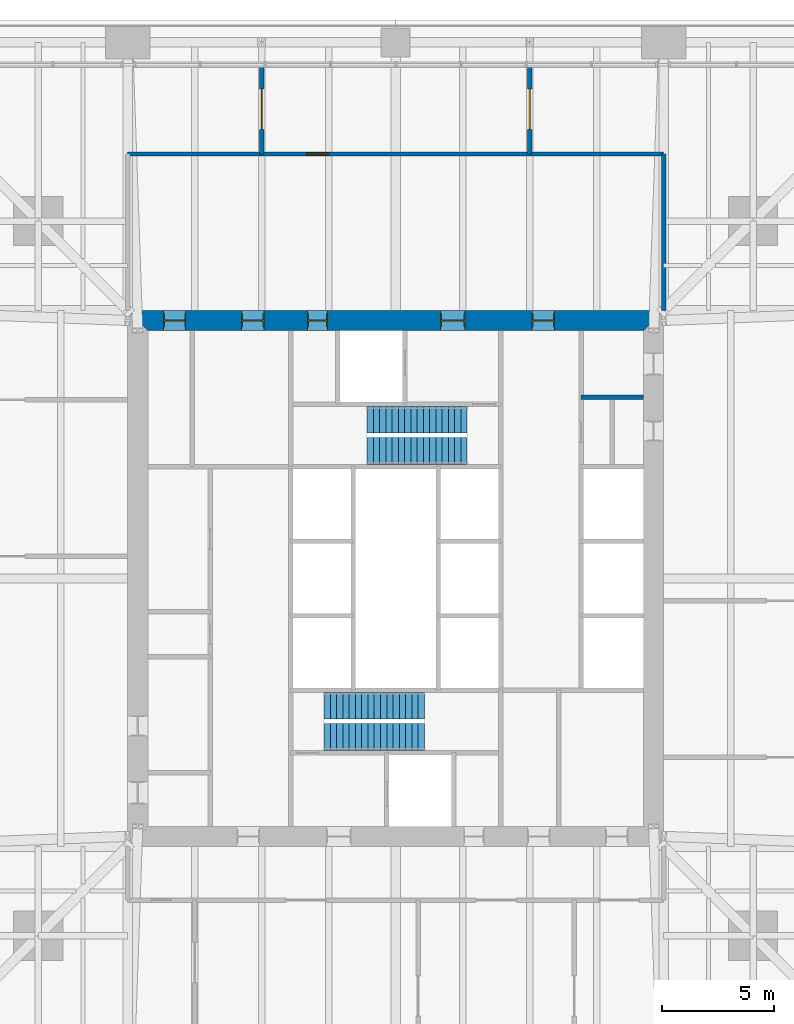
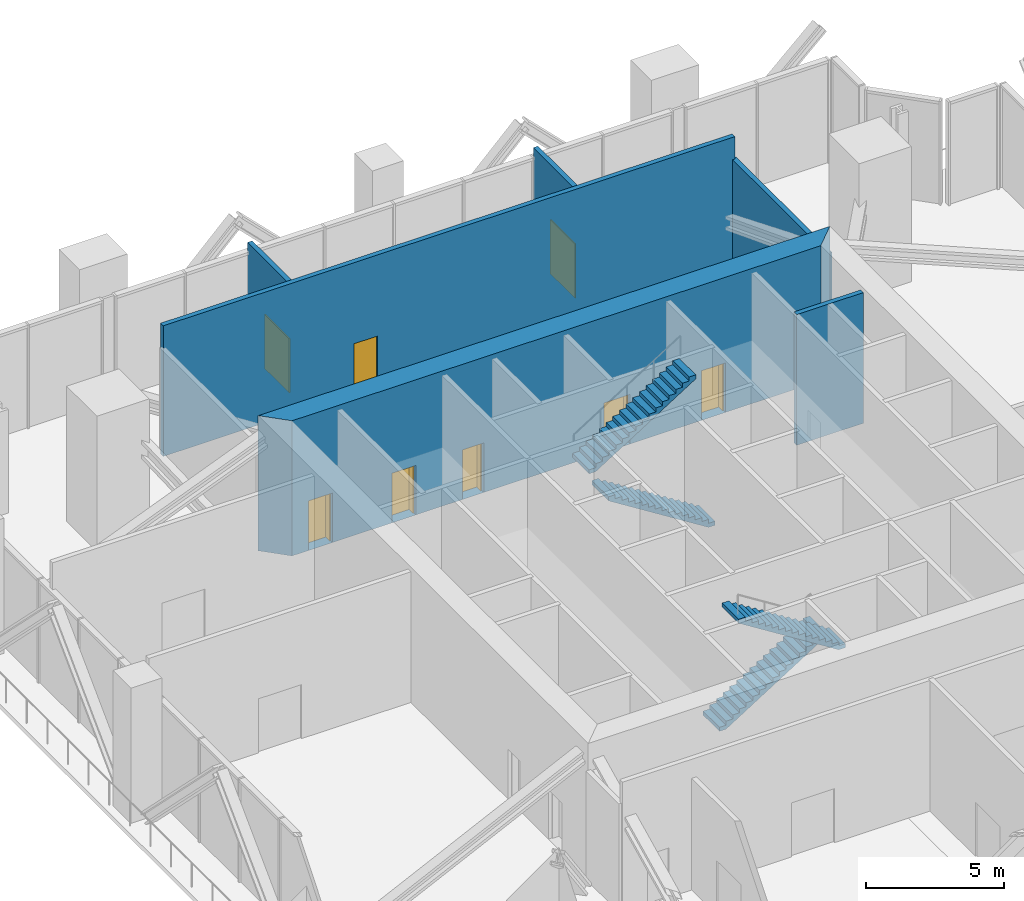
# One storey, part 11 of 14: 8 doors, 6 walls, 4 stair flights, 8 openings, 2 elements without a shape of their own.
"""IFC4 building model written with IfcOpenShell, lengths in metres."""

from ifc_helpers import new_model, si_unit, direction, frame, frame_2d, origin, place, context, subcontext, project, spatial, polyline, rectangle, outline, extrude, material, layer, layer_set, type_object, element, fill, aggregate, save


model = new_model("IFC4")

# Units and contexts
model_context = context("Model", 3, precision=1e-05, world=origin(), true_north=direction((0.0, 1.0)))
body_context = subcontext(model_context, "Body", "Model", "MODEL_VIEW")
ifc_project = project(units=[si_unit("LENGTHUNIT", "METRE"), si_unit("AREAUNIT", "SQUARE_METRE"), si_unit("VOLUMEUNIT", "CUBIC_METRE"), si_unit("PLANEANGLEUNIT", "RADIAN"), si_unit("MASSUNIT", "GRAM", prefix="KILO")], contexts=[model_context])

# Site, building, storey
site_placement = place(None, origin())
site = spatial("IfcSite", under=ifc_project, at=site_placement, CompositionType="ELEMENT")
building_placement = place(site_placement, origin())
building = spatial("IfcBuilding", under=site, at=building_placement, Name="Fenwick Lantern Interchange", CompositionType="ELEMENT")
storey_placement = place(building_placement, frame((0.0, 0.0, 162.39990234375)))
storey = spatial("IfcBuildingStorey", under=building, at=storey_placement, Name="L38", CompositionType="ELEMENT", Elevation=162.39990234375)

# Wall
ifc_material_1 = material(Name="Concrete masonry ASTM C90 Grade N", Category="masonry")
ifc_layer_1 = layer(ifc_material_1, 0.199951171875)
ifc_layer_set_1 = layer_set([ifc_layer_1], Name="Concrete masonry ASTM C90 Grade N")
wall_type_1 = type_object("IfcWallType", Name="CORE PARTITION 200", PredefinedType="PARTITIONING", material=ifc_layer_set_1)
wall_1_placement = place(storey_placement, frame((36.10009765625, 33.10009765625, 0.0), z_axis=(0.0, 0.0, 1.0), x_axis=(-1.0, 0.0, 0.0)))
element("IfcWall", 1, at=wall_1_placement, inside=storey, type_object=wall_type_1, Name="L38/W/COREN/p1", PredefinedType="PARTITIONING", context=body_context, shape_type="SweptSolid", body=[
    extrude(rectangle(XDim=2.800048828125, YDim=0.199951171875, at=frame_2d((1.39990234375, 0.0))), origin(), (0.0, 0.0, 1.0), 5.800048828125),
])

# Wall, openings, doors
ifc_material_2 = material(Name="Concrete f'c 70 MPa", Category="concrete")
ifc_layer_2 = layer(ifc_material_2, 0.89990234375)
ifc_layer_set_2 = layer_set([ifc_layer_2], Name="CORE WALL 900")
wall_type_2 = type_object("IfcWallType", Name="CORE WALL 900", PredefinedType="SHEAR", material=ifc_layer_set_2)
wall_2_placement = place(storey_placement, frame((37.0, 36.550048828125, 0.0), z_axis=(0.0, 0.0, 1.0), x_axis=(-1.0, 0.0, 0.0)))
wall_2 = element("IfcWall", 2, at=wall_2_placement, inside=storey, type_object=wall_type_2, Name="L38/CORE/N", PredefinedType="SHEAR", context=body_context, shape_type="SweptSolid", body=[
    extrude(outline(polyline([(0.0, -0.449951171875), (24.0, -0.449951171875), (23.10009765625, 0.449951171875), (0.89990234375, 0.449951171875), (0.0, -0.449951171875)])), origin(), (0.0, 0.0, 1.0), 6.0),
])
opening_1_placement = place(wall_2_placement, frame((4.89990234375, 0.0, 0.0)))
opening_1 = element("IfcOpeningElement", 3, at=opening_1_placement, cuts=wall_2, Name="Opening L38-D012", PredefinedType="OPENING", context=body_context, shape_type="SweptSolid", body=[
    extrude(rectangle(XDim=1.0, YDim=2.199951171875, at=frame_2d((0.5, 1.10009765625))), frame((0.0, 0.4599609375, 0.0), z_axis=(0.0, -1.0, 0.0), x_axis=(1.0, 0.0, 0.0)), (0.0, 0.0, 1.0), 0.919921875),
])
opening_2_placement = place(wall_2_placement, frame((8.89990234375, 0.0, 0.0)))
opening_2 = element("IfcOpeningElement", 4, at=opening_2_placement, cuts=wall_2, Name="Opening L38-D013", PredefinedType="OPENING", context=body_context, shape_type="SweptSolid", body=[
    extrude(rectangle(XDim=1.10009765625, YDim=2.199951171875, at=frame_2d((0.550048828125, 1.10009765625))), frame((0.0, 0.4599609375, 0.0), z_axis=(0.0, -1.0, 0.0), x_axis=(1.0, 0.0, 0.0)), (0.0, 0.0, 1.0), 0.919921875),
])
opening_3_placement = place(wall_2_placement, frame((15.050048828125, 0.0, 0.0)))
opening_3 = element("IfcOpeningElement", 5, at=opening_3_placement, cuts=wall_2, Name="Opening L38-D015", PredefinedType="OPENING", context=body_context, shape_type="SweptSolid", body=[
    extrude(rectangle(XDim=0.89990234375, YDim=2.199951171875, at=frame_2d((0.449951171875, 1.10009765625))), frame((0.0, 0.4599609375, 0.0), z_axis=(0.0, -1.0, 0.0), x_axis=(1.0, 0.0, 0.0)), (0.0, 0.0, 1.0), 0.919921875),
])
opening_4_placement = place(wall_2_placement, frame((17.89990234375, 0.0, 0.0)))
opening_4 = element("IfcOpeningElement", 6, at=opening_4_placement, cuts=wall_2, Name="Opening L38-D016", PredefinedType="OPENING", context=body_context, shape_type="SweptSolid", body=[
    extrude(rectangle(XDim=1.0, YDim=2.199951171875, at=frame_2d((0.5, 1.10009765625))), frame((0.0, 0.4599609375, 0.0), z_axis=(0.0, -1.0, 0.0), x_axis=(1.0, 0.0, 0.0)), (0.0, 0.0, 1.0), 0.919921875),
])
opening_5_placement = place(wall_2_placement, frame((21.39990234375, 0.0, 0.0)))
opening_5 = element("IfcOpeningElement", 7, at=opening_5_placement, cuts=wall_2, Name="Opening L38-D017", PredefinedType="OPENING", context=body_context, shape_type="SweptSolid", body=[
    extrude(rectangle(XDim=1.0, YDim=2.199951171875, at=frame_2d((0.5, 1.10009765625))), frame((0.0, 0.4599609375, 0.0), z_axis=(0.0, -1.0, 0.0), x_axis=(1.0, 0.0, 0.0)), (0.0, 0.0, 1.0), 0.919921875),
])
ifc_material_3 = material(Name="Steel door and frame", Category="steel")
door_type_1 = type_object("IfcDoorType", Name="CORE LOBBY DOOR 1000 X 2200", OperationType="SINGLE_SWING_LEFT", PredefinedType="DOOR", material=ifc_material_3)
door_1_placement = place(opening_1_placement, frame((1.0, 0.0, 0.0), z_axis=(0.0, 0.0, 1.0), x_axis=(-1.0, 0.0, 0.0)))
door_1 = element("IfcDoor", 8, at=door_1_placement, inside=storey, type_object=door_type_1, Name="Core lobby door", OperationType="SINGLE_SWING_RIGHT", OverallHeight=2.199951171875, OverallWidth=1.0, PredefinedType="DOOR", context=body_context, shape_type="SweptSolid", body=[
    extrude(rectangle(XDim=1.0, YDim=2.199951171875, at=frame_2d((0.5, 1.10009765625))), frame((0.0, 0.02490234375, 0.0), z_axis=(0.0, -1.0, 0.0), x_axis=(1.0, 0.0, 0.0)), (0.0, 0.0, 1.0), 0.050048828125),
    extrude(outline(polyline([(0.0, 0.0), (0.0400390625, 0.0), (0.0400390625, 2.159912109375), (0.9599609375, 2.159912109375), (0.9599609375, 0.0), (1.0, 0.0), (1.0, 2.199951171875), (0.0, 2.199951171875), (0.0, 0.0)])), frame((0.0, 0.300048828125, 0.0), z_axis=(0.0, -1.0, 0.0), x_axis=(1.0, 0.0, 0.0)), (0.0, 0.0, 1.0), 0.60009765625),
])
fill(opening_1, door_1)
door_type_2 = type_object("IfcDoorType", Name="FIRE LOBBY DOOR 1100 X 2200", OperationType="SINGLE_SWING_LEFT", PredefinedType="DOOR", material=ifc_material_3)
door_2_placement = place(opening_2_placement, origin())
door_2 = element("IfcDoor", 9, at=door_2_placement, inside=storey, type_object=door_type_2, Name="Fire lobby door", OperationType="SINGLE_SWING_LEFT", OverallHeight=2.199951171875, OverallWidth=1.10009765625, PredefinedType="DOOR", context=body_context, shape_type="SweptSolid", body=[
    extrude(rectangle(XDim=1.10009765625, YDim=2.199951171875, at=frame_2d((0.550048828125, 1.10009765625))), frame((0.0, 0.02490234375, 0.0), z_axis=(0.0, -1.0, 0.0), x_axis=(1.0, 0.0, 0.0)), (0.0, 0.0, 1.0), 0.050048828125),
    extrude(outline(polyline([(0.0, 0.0), (0.0400390625, 0.0), (0.0400390625, 2.159912109375), (1.06005859375, 2.159912109375), (1.06005859375, 0.0), (1.10009765625, 0.0), (1.10009765625, 2.199951171875), (0.0, 2.199951171875), (0.0, 0.0)])), frame((0.0, 0.300048828125, 0.0), z_axis=(0.0, -1.0, 0.0), x_axis=(1.0, 0.0, 0.0)), (0.0, 0.0, 1.0), 0.60009765625),
])
fill(opening_2, door_2)
door_type_3 = type_object("IfcDoorType", Name="SERVICE DOOR 900 X 2200", OperationType="SINGLE_SWING_LEFT", PredefinedType="DOOR", material=ifc_material_3)
door_3_placement = place(opening_3_placement, origin())
door_3 = element("IfcDoor", 10, at=door_3_placement, inside=storey, type_object=door_type_3, Name="Service door", OperationType="SINGLE_SWING_LEFT", OverallHeight=2.199951171875, OverallWidth=0.89990234375, PredefinedType="DOOR", context=body_context, shape_type="SweptSolid", body=[
    extrude(rectangle(XDim=0.89990234375, YDim=2.199951171875, at=frame_2d((0.449951171875, 1.10009765625))), frame((0.0, 0.02490234375, 0.0), z_axis=(0.0, -1.0, 0.0), x_axis=(1.0, 0.0, 0.0)), (0.0, 0.0, 1.0), 0.050048828125),
    extrude(outline(polyline([(0.0, 0.0), (0.0400390625, 0.0), (0.0400390625, 2.159912109375), (0.85986328125, 2.159912109375), (0.85986328125, 0.0), (0.89990234375, 0.0), (0.89990234375, 2.199951171875), (0.0, 2.199951171875), (0.0, 0.0)])), frame((0.0, 0.300048828125, 0.0), z_axis=(0.0, -1.0, 0.0), x_axis=(1.0, 0.0, 0.0)), (0.0, 0.0, 1.0), 0.60009765625),
])
fill(opening_3, door_3)
ifc_material_4 = material(Name="Hardwood door and steel frame", Category="steel")
door_type_4 = type_object("IfcDoorType", Name="WC DOOR 1000 X 2200", OperationType="SINGLE_SWING_LEFT", PredefinedType="DOOR", material=ifc_material_4)
door_4_placement = place(opening_4_placement, origin())
door_4 = element("IfcDoor", 11, at=door_4_placement, inside=storey, type_object=door_type_4, Name="Wc door", OperationType="SINGLE_SWING_LEFT", OverallHeight=2.199951171875, OverallWidth=1.0, PredefinedType="DOOR", context=body_context, shape_type="SweptSolid", body=[
    extrude(rectangle(XDim=1.0, YDim=2.199951171875, at=frame_2d((0.5, 1.10009765625))), frame((0.0, 0.02490234375, 0.0), z_axis=(0.0, -1.0, 0.0), x_axis=(1.0, 0.0, 0.0)), (0.0, 0.0, 1.0), 0.050048828125),
    extrude(outline(polyline([(0.0, 0.0), (0.0400390625, 0.0), (0.0400390625, 2.159912109375), (0.9599609375, 2.159912109375), (0.9599609375, 0.0), (1.0, 0.0), (1.0, 2.199951171875), (0.0, 2.199951171875), (0.0, 0.0)])), frame((0.0, 0.300048828125, 0.0), z_axis=(0.0, -1.0, 0.0), x_axis=(1.0, 0.0, 0.0)), (0.0, 0.0, 1.0), 0.60009765625),
])
fill(opening_4, door_4)
door_5_placement = place(opening_5_placement, origin())
door_5 = element("IfcDoor", 12, at=door_5_placement, inside=storey, type_object=door_type_4, Name="Wc door", OperationType="SINGLE_SWING_LEFT", OverallHeight=2.199951171875, OverallWidth=1.0, PredefinedType="DOOR", context=body_context, shape_type="SweptSolid", body=[
    extrude(rectangle(XDim=1.0, YDim=2.199951171875, at=frame_2d((0.5, 1.10009765625))), frame((0.0, 0.02490234375, 0.0), z_axis=(0.0, -1.0, 0.0), x_axis=(1.0, 0.0, 0.0)), (0.0, 0.0, 1.0), 0.050048828125),
    extrude(outline(polyline([(0.0, 0.0), (0.0400390625, 0.0), (0.0400390625, 2.159912109375), (0.9599609375, 2.159912109375), (0.9599609375, 0.0), (1.0, 0.0), (1.0, 2.199951171875), (0.0, 2.199951171875), (0.0, 0.0)])), frame((0.0, 0.300048828125, 0.0), z_axis=(0.0, -1.0, 0.0), x_axis=(1.0, 0.0, 0.0)), (0.0, 0.0, 1.0), 0.60009765625),
])
fill(opening_5, door_5)

# Wall, opening, door
ifc_layer_3 = layer(ifc_material_1, 0.199951171875)
ifc_layer_set_3 = layer_set([ifc_layer_3], Name="Concrete masonry ASTM C90 Grade N")
wall_type_3 = type_object("IfcWallType", Name="PLANT ROOM WALL 200", PredefinedType="PARTITIONING", material=ifc_layer_set_3)
wall_3_placement = place(storey_placement, frame((19.0, 44.0, 0.0), z_axis=(0.0, 0.0, 1.0), x_axis=(0.0, 1.0, 0.0)))
wall_3 = element("IfcWall", 13, at=wall_3_placement, inside=storey, type_object=wall_type_3, Name="L38/W/FLOOR/PW6", PredefinedType="PARTITIONING", context=body_context, shape_type="SweptSolid", body=[
    extrude(rectangle(XDim=4.0, YDim=0.199951171875, at=frame_2d((2.0, 0.0))), origin(), (0.0, 0.0, 1.0), 4.954345703125),
])
opening_6_placement = place(wall_3_placement, frame((1.10009765625, 0.0, 0.0)))
opening_6 = element("IfcOpeningElement", 14, at=opening_6_placement, cuts=wall_3, Name="Opening L38-D027", PredefinedType="OPENING", context=body_context, shape_type="SweptSolid", body=[
    extrude(rectangle(XDim=1.800048828125, YDim=2.39990234375, at=frame_2d((0.89990234375, 1.199951171875))), frame((0.0, 0.10986328125, 0.0), z_axis=(0.0, -1.0, 0.0), x_axis=(1.0, 0.0, 0.0)), (0.0, 0.0, 1.0), 0.219970703125),
])
door_type_5 = type_object("IfcDoorType", Name="ROOM DOOR PAIR 1800 X 2400", OperationType="DOUBLE_DOOR_SINGLE_SWING", PredefinedType="DOOR", material=ifc_material_3)
door_6_placement = place(opening_6_placement, frame((1.800048828125, 0.0, 0.0), z_axis=(0.0, 0.0, 1.0), x_axis=(-1.0, 0.0, 0.0)))
door_6 = element("IfcDoor", 15, at=door_6_placement, inside=storey, type_object=door_type_5, Name="Room door pair", OperationType="DOUBLE_DOOR_SINGLE_SWING", OverallHeight=2.39990234375, OverallWidth=1.800048828125, PredefinedType="DOOR", context=body_context, shape_type="SweptSolid", body=[
    extrude(rectangle(XDim=1.800048828125, YDim=2.39990234375, at=frame_2d((0.89990234375, 1.199951171875))), frame((0.0, 0.02490234375, 0.0), z_axis=(0.0, -1.0, 0.0), x_axis=(1.0, 0.0, 0.0)), (0.0, 0.0, 1.0), 0.050048828125),
])
fill(opening_6, door_6)

wall_4_placement = place(storey_placement, frame((31.0, 44.0, 0.0), z_axis=(0.0, 0.0, 1.0), x_axis=(0.0, 1.0, 0.0)))
wall_4 = element("IfcWall", 16, at=wall_4_placement, inside=storey, type_object=wall_type_3, Name="L38/W/FLOOR/PW7", PredefinedType="PARTITIONING", context=body_context, shape_type="SweptSolid", body=[
    extrude(rectangle(XDim=4.0, YDim=0.199951171875, at=frame_2d((2.0, 0.0))), origin(), (0.0, 0.0, 1.0), 4.954345703125),
])
opening_7_placement = place(wall_4_placement, frame((1.10009765625, 0.0, 0.0)))
opening_7 = element("IfcOpeningElement", 17, at=opening_7_placement, cuts=wall_4, Name="Opening L38-D028", PredefinedType="OPENING", context=body_context, shape_type="SweptSolid", body=[
    extrude(rectangle(XDim=1.800048828125, YDim=2.39990234375, at=frame_2d((0.89990234375, 1.199951171875))), frame((0.0, 0.10986328125, 0.0), z_axis=(0.0, -1.0, 0.0), x_axis=(1.0, 0.0, 0.0)), (0.0, 0.0, 1.0), 0.219970703125),
])
door_7_placement = place(opening_7_placement, origin())
door_7 = element("IfcDoor", 18, at=door_7_placement, inside=storey, type_object=door_type_5, Name="Room door pair", OperationType="DOUBLE_DOOR_SINGLE_SWING", OverallHeight=2.39990234375, OverallWidth=1.800048828125, PredefinedType="DOOR", context=body_context, shape_type="SweptSolid", body=[
    extrude(rectangle(XDim=1.800048828125, YDim=2.39990234375, at=frame_2d((0.89990234375, 1.199951171875))), frame((0.0, 0.02490234375, 0.0), z_axis=(0.0, -1.0, 0.0), x_axis=(1.0, 0.0, 0.0)), (0.0, 0.0, 1.0), 0.050048828125),
])
fill(opening_7, door_7)

ifc_layer_4 = layer(ifc_material_1, 0.199951171875)
ifc_layer_set_4 = layer_set([ifc_layer_4], Name="Concrete masonry ASTM C90 Grade N")
wall_type_4 = type_object("IfcWallType", Name="REFUGE WALL 200", PredefinedType="PARTITIONING", material=ifc_layer_set_4)
wall_5_placement = place(storey_placement, frame((13.0, 44.0, 0.0), z_axis=(0.0, 0.0, 1.0), x_axis=(1.0, 0.0, 0.0)))
wall_5 = element("IfcWall", 19, at=wall_5_placement, inside=storey, type_object=wall_type_4, Name="L38/W/FLOOR/REF-W", PredefinedType="PARTITIONING", context=body_context, shape_type="SweptSolid", body=[
    extrude(rectangle(XDim=24.0, YDim=0.199951171875, at=frame_2d((12.0, 0.0))), origin(), (0.0, 0.0, 1.0), 5.800048828125),
])
opening_8_placement = place(wall_5_placement, frame((8.0, 0.0, 0.0)))
opening_8 = element("IfcOpeningElement", 20, at=opening_8_placement, cuts=wall_5, Name="Opening L38-D021", PredefinedType="OPENING", context=body_context, shape_type="SweptSolid", body=[
    extrude(rectangle(XDim=1.0, YDim=2.199951171875, at=frame_2d((0.5, 1.10009765625))), frame((0.0, 0.10986328125, 0.0), z_axis=(0.0, -1.0, 0.0), x_axis=(1.0, 0.0, 0.0)), (0.0, 0.0, 1.0), 0.219970703125),
])
door_type_6 = type_object("IfcDoorType", Name="FIRE LOBBY DOOR 1000 X 2200", OperationType="SINGLE_SWING_LEFT", PredefinedType="DOOR", material=ifc_material_3)
door_8_placement = place(opening_8_placement, origin())
door_8 = element("IfcDoor", 21, at=door_8_placement, inside=storey, type_object=door_type_6, Name="Fire lobby door", OperationType="SINGLE_SWING_LEFT", OverallHeight=2.199951171875, OverallWidth=1.0, PredefinedType="DOOR", context=body_context, shape_type="SweptSolid", body=[
    extrude(rectangle(XDim=1.0, YDim=2.199951171875, at=frame_2d((0.5, 1.10009765625))), frame((0.0, 0.02490234375, 0.0), z_axis=(0.0, -1.0, 0.0), x_axis=(1.0, 0.0, 0.0)), (0.0, 0.0, 1.0), 0.050048828125),
])
fill(opening_8, door_8)

# Wall
wall_6_placement = place(storey_placement, frame((37.0, 44.0, 0.0), z_axis=(0.0, 0.0, 1.0), x_axis=(0.0, -1.0, 0.0)))
element("IfcWall", 22, at=wall_6_placement, inside=storey, type_object=wall_type_4, Name="L38/W/FLOOR/REF-E", PredefinedType="PARTITIONING", context=body_context, shape_type="SweptSolid", body=[
    extrude(rectangle(XDim=7.0, YDim=0.199951171875, at=frame_2d((3.5, 0.0))), origin(), (0.0, 0.0, 1.0), 4.806884765625),
])

# Stair, stair flights
ifc_material_5 = material(Name="Precast concrete f'c 35 MPa", Category="concrete")
stair_type = type_object("IfcStairType", Name="EXIT STAIR 1200", PredefinedType="HALF_TURN_STAIR", material=ifc_material_5)
stair_1_placement = place(storey_placement, origin())
stair_1 = element("IfcStair", 23, at=stair_1_placement, inside=storey, type_object=stair_type, Name="Exit stair ST1", PredefinedType="HALF_TURN_STAIR")
stair_flight_type = type_object("IfcStairFlightType", Name="STAIR FLIGHT 1200", PredefinedType="STRAIGHT", material=ifc_material_5)
stair_flight_1_placement = place(storey_placement, frame((21.800048828125, 19.300048828125, 0.0), z_axis=(0.0, 0.0, 1.0), x_axis=(1.0, 0.0, 0.0)))
stair_flight_1 = element("IfcStairFlight", 24, at=stair_flight_1_placement, type_object=stair_flight_type, Name="ST1 flight 1", NumberOfRisers=17, NumberOfTreads=16, PredefinedType="STRAIGHT", RiserHeight=0.176470588, TreadLength=0.28, context=body_context, shape_type="SweptSolid", body=[
    extrude(outline(polyline([(0.0, 0.0), (0.0, 0.176513671875), (0.280029296875, 0.176513671875), (0.280029296875, 0.35302734375), (0.56005859375, 0.35302734375), (0.56005859375, 0.529296875), (0.840087890625, 0.529296875), (0.840087890625, 0.705810546875), (1.1201171875, 0.705810546875), (1.1201171875, 0.88232421875), (1.39990234375, 0.88232421875), (1.39990234375, 1.058837890625), (1.679931640625, 1.058837890625), (1.679931640625, 1.2353515625), (1.9599609375, 1.2353515625), (1.9599609375, 1.411865234375), (2.239990234375, 1.411865234375), (2.239990234375, 1.588134765625), (2.52001953125, 1.588134765625), (2.52001953125, 1.7646484375), (2.800048828125, 1.7646484375), (2.800048828125, 1.941162109375), (3.080078125, 1.941162109375), (3.080078125, 2.11767578125), (3.360107421875, 2.11767578125), (3.360107421875, 2.294189453125), (3.639892578125, 2.294189453125), (3.639892578125, 2.470703125), (3.919921875, 2.470703125), (3.919921875, 2.64697265625), (4.199951171875, 2.64697265625), (4.199951171875, 2.823486328125), (4.47998046875, 2.823486328125), (4.47998046875, 3.0), (4.47998046875, 2.646240234375), (0.28125, 0.0), (0.0, 0.0)])), frame((0.0, 0.60009765625, 0.0), z_axis=(0.0, -1.0, 0.0), x_axis=(1.0, 0.0, 0.0)), (0.0, 0.0, 1.0), 1.199951171875),
])
stair_flight_2_placement = place(storey_placement, frame((26.280029296875, 17.89990234375, 3.0), z_axis=(0.0, 0.0, 1.0), x_axis=(-1.0, 0.0, 0.0)))
stair_flight_2 = element("IfcStairFlight", 25, at=stair_flight_2_placement, type_object=stair_flight_type, Name="ST1 flight 2", NumberOfRisers=17, NumberOfTreads=16, PredefinedType="STRAIGHT", RiserHeight=0.176470588, TreadLength=0.28, context=body_context, shape_type="SweptSolid", body=[
    extrude(outline(polyline([(0.0, 0.0), (0.0, 0.176513671875), (0.280029296875, 0.176513671875), (0.280029296875, 0.35302734375), (0.56005859375, 0.35302734375), (0.56005859375, 0.529296875), (0.840087890625, 0.529296875), (0.840087890625, 0.705810546875), (1.1201171875, 0.705810546875), (1.1201171875, 0.88232421875), (1.39990234375, 0.88232421875), (1.39990234375, 1.058837890625), (1.679931640625, 1.058837890625), (1.679931640625, 1.2353515625), (1.9599609375, 1.2353515625), (1.9599609375, 1.411865234375), (2.239990234375, 1.411865234375), (2.239990234375, 1.588134765625), (2.52001953125, 1.588134765625), (2.52001953125, 1.7646484375), (2.800048828125, 1.7646484375), (2.800048828125, 1.941162109375), (3.080078125, 1.941162109375), (3.080078125, 2.11767578125), (3.360107421875, 2.11767578125), (3.360107421875, 2.294189453125), (3.639892578125, 2.294189453125), (3.639892578125, 2.470703125), (3.919921875, 2.470703125), (3.919921875, 2.64697265625), (4.199951171875, 2.64697265625), (4.199951171875, 2.823486328125), (4.47998046875, 2.823486328125), (4.47998046875, 3.0), (4.47998046875, 2.646240234375), (0.28125, 0.0), (0.0, 0.0)])), frame((0.0, 0.60009765625, 0.0), z_axis=(0.0, -1.0, 0.0), x_axis=(1.0, 0.0, 0.0)), (0.0, 0.0, 1.0), 1.199951171875),
])
aggregate(stair_1, [stair_flight_1, stair_flight_2])

stair_2_placement = place(storey_placement, origin())
stair_2 = element("IfcStair", 26, at=stair_2_placement, inside=storey, type_object=stair_type, Name="Exit stair ST2", PredefinedType="HALF_TURN_STAIR")
stair_flight_3_placement = place(storey_placement, frame((28.199951171875, 30.699951171875, 0.0), z_axis=(0.0, 0.0, 1.0), x_axis=(-1.0, 0.0, 0.0)))
stair_flight_3 = element("IfcStairFlight", 27, at=stair_flight_3_placement, type_object=stair_flight_type, Name="ST2 flight 1", NumberOfRisers=17, NumberOfTreads=16, PredefinedType="STRAIGHT", RiserHeight=0.176470588, TreadLength=0.28, context=body_context, shape_type="SweptSolid", body=[
    extrude(outline(polyline([(0.0, 0.0), (0.0, 0.176513671875), (0.280029296875, 0.176513671875), (0.280029296875, 0.35302734375), (0.56005859375, 0.35302734375), (0.56005859375, 0.529296875), (0.840087890625, 0.529296875), (0.840087890625, 0.705810546875), (1.1201171875, 0.705810546875), (1.1201171875, 0.88232421875), (1.39990234375, 0.88232421875), (1.39990234375, 1.058837890625), (1.679931640625, 1.058837890625), (1.679931640625, 1.2353515625), (1.9599609375, 1.2353515625), (1.9599609375, 1.411865234375), (2.239990234375, 1.411865234375), (2.239990234375, 1.588134765625), (2.52001953125, 1.588134765625), (2.52001953125, 1.7646484375), (2.800048828125, 1.7646484375), (2.800048828125, 1.941162109375), (3.080078125, 1.941162109375), (3.080078125, 2.11767578125), (3.360107421875, 2.11767578125), (3.360107421875, 2.294189453125), (3.639892578125, 2.294189453125), (3.639892578125, 2.470703125), (3.919921875, 2.470703125), (3.919921875, 2.64697265625), (4.199951171875, 2.64697265625), (4.199951171875, 2.823486328125), (4.47998046875, 2.823486328125), (4.47998046875, 3.0), (4.47998046875, 2.646240234375), (0.28125, 0.0), (0.0, 0.0)])), frame((0.0, 0.60009765625, 0.0), z_axis=(0.0, -1.0, 0.0), x_axis=(1.0, 0.0, 0.0)), (0.0, 0.0, 1.0), 1.199951171875),
])
stair_flight_4_placement = place(storey_placement, frame((23.719970703125, 32.10009765625, 3.0), z_axis=(0.0, 0.0, 1.0), x_axis=(1.0, 0.0, 0.0)))
stair_flight_4 = element("IfcStairFlight", 28, at=stair_flight_4_placement, type_object=stair_flight_type, Name="ST2 flight 2", NumberOfRisers=17, NumberOfTreads=16, PredefinedType="STRAIGHT", RiserHeight=0.176470588, TreadLength=0.28, context=body_context, shape_type="SweptSolid", body=[
    extrude(outline(polyline([(0.0, 0.0), (0.0, 0.176513671875), (0.280029296875, 0.176513671875), (0.280029296875, 0.35302734375), (0.56005859375, 0.35302734375), (0.56005859375, 0.529296875), (0.840087890625, 0.529296875), (0.840087890625, 0.705810546875), (1.1201171875, 0.705810546875), (1.1201171875, 0.88232421875), (1.39990234375, 0.88232421875), (1.39990234375, 1.058837890625), (1.679931640625, 1.058837890625), (1.679931640625, 1.2353515625), (1.9599609375, 1.2353515625), (1.9599609375, 1.411865234375), (2.239990234375, 1.411865234375), (2.239990234375, 1.588134765625), (2.52001953125, 1.588134765625), (2.52001953125, 1.7646484375), (2.800048828125, 1.7646484375), (2.800048828125, 1.941162109375), (3.080078125, 1.941162109375), (3.080078125, 2.11767578125), (3.360107421875, 2.11767578125), (3.360107421875, 2.294189453125), (3.639892578125, 2.294189453125), (3.639892578125, 2.470703125), (3.919921875, 2.470703125), (3.919921875, 2.64697265625), (4.199951171875, 2.64697265625), (4.199951171875, 2.823486328125), (4.47998046875, 2.823486328125), (4.47998046875, 3.0), (4.47998046875, 2.646240234375), (0.28125, 0.0), (0.0, 0.0)])), frame((0.0, 0.60009765625, 0.0), z_axis=(0.0, -1.0, 0.0), x_axis=(1.0, 0.0, 0.0)), (0.0, 0.0, 1.0), 1.199951171875),
])
aggregate(stair_2, [stair_flight_3, stair_flight_4])

save(model, "model.ifc")
